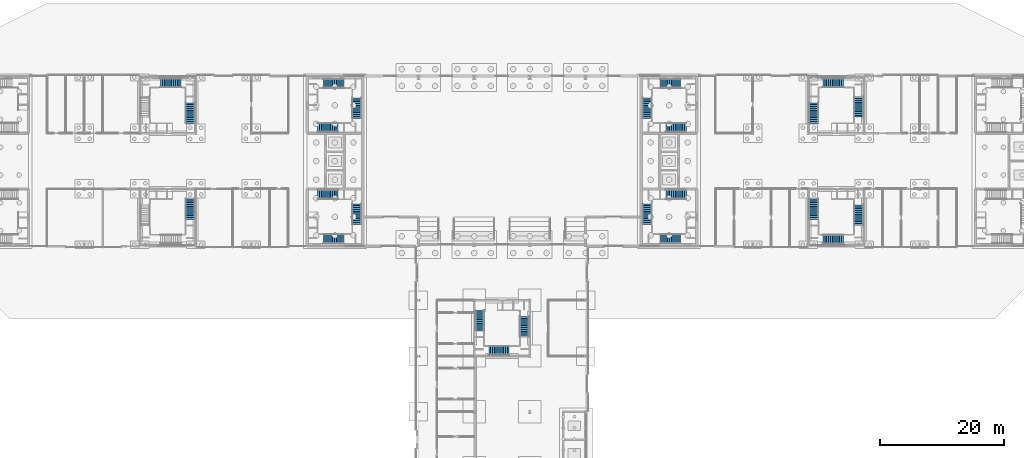
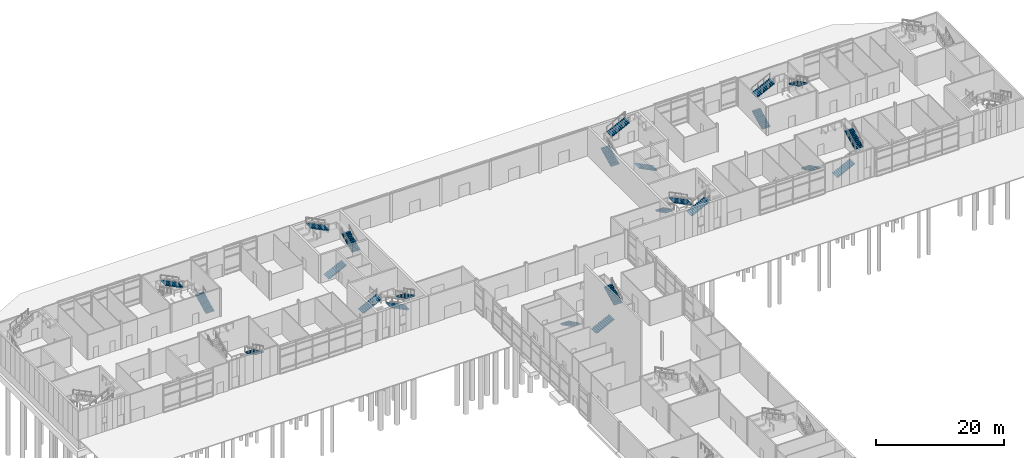
# One storey, part 35 of 45: 24 stair flights, 9 elements without a shape of their own.
"""IFC4 building model written with IfcOpenShell, lengths in metres."""

from ifc_helpers import new_model, si_unit, direction, frame, origin, place, context, subcontext, project, spatial, polyline, outline, extrude, material, type_object, element, aggregate, save


model = new_model("IFC4")

# Units and contexts
model_context = context("Model", 3, precision=1e-05, world=origin(), true_north=direction((0.0, 1.0)))
body_context = subcontext(model_context, "Body", "Model", "MODEL_VIEW")
ifc_project = project(units=[si_unit("LENGTHUNIT", "METRE"), si_unit("AREAUNIT", "SQUARE_METRE"), si_unit("VOLUMEUNIT", "CUBIC_METRE"), si_unit("PLANEANGLEUNIT", "RADIAN"), si_unit("MASSUNIT", "GRAM", prefix="KILO")], contexts=[model_context])

# Site, building, storey
site_placement = place(None, origin())
site = spatial("IfcSite", under=ifc_project, at=site_placement, CompositionType="ELEMENT")
building_placement = place(site_placement, origin())
building = spatial("IfcBuilding", under=site, at=building_placement, Name="Azimuth Sports and Learning Centre", CompositionType="ELEMENT")
storey_placement = place(building_placement, origin())
storey = spatial("IfcBuildingStorey", under=building, at=storey_placement, Name="L00", CompositionType="ELEMENT", Elevation=0.0)

# Stair, stair flights
ifc_material_1 = material(Name="Concrete C32/40", Category="concrete")
stair_type_1 = type_object("IfcStairType", Name="Square-well stair core 5400 storey", PredefinedType="THREE_QUARTER_TURN_STAIR", material=ifc_material_1)
stair_1_placement = place(storey_placement, origin())
stair_1 = element("IfcStair", 1, at=stair_1_placement, inside=storey, type_object=stair_type_1, Name="Stair W1 L00-L01", PredefinedType="THREE_QUARTER_TURN_STAIR")
ifc_material_2 = material(Name="Concrete C32/40", Category="concrete")
stair_flight_type = type_object("IfcStairFlightType", Name="Stair flight 12 risers", PredefinedType="STRAIGHT", material=ifc_material_2)
stair_flight_1_placement = place(storey_placement, frame((55.7099609375, 98.090087890625, 0.0), z_axis=(0.0, 0.0, 1.0), x_axis=(1.0, 0.0, 0.0)))
stair_flight_1 = element("IfcStairFlight", 2, at=stair_flight_1_placement, type_object=stair_flight_type, Name="Stair W1 L00 flight 1", NumberOfRisers=12, NumberOfTreads=11, PredefinedType="STRAIGHT", RiserHeight=0.15, TreadLength=0.3, context=body_context, shape_type="SweptSolid", body=[
    extrude(outline(polyline([(0.0, 0.0), (0.0, 0.14990234375), (0.300048828125, 0.14990234375), (0.300048828125, 0.300048828125), (0.60009765625, 0.300048828125), (0.60009765625, 0.449951171875), (0.89990234375, 0.449951171875), (0.89990234375, 0.60009765625), (1.199951171875, 0.60009765625), (1.199951171875, 0.75), (1.5, 0.75), (1.5, 0.89990234375), (1.800048828125, 0.89990234375), (1.800048828125, 1.050048828125), (2.10009765625, 1.050048828125), (2.10009765625, 1.199951171875), (2.39990234375, 1.199951171875), (2.39990234375, 1.35009765625), (2.699951171875, 1.35009765625), (2.699951171875, 1.5), (3.0, 1.5), (3.0, 1.64990234375), (3.300048828125, 1.64990234375), (3.300048828125, 1.800048828125), (3.300048828125, 1.482421875), (0.335205078125, 0.0), (0.0, 0.0)])), frame((0.0, 0.75, 0.0), z_axis=(0.0, -1.0, 0.0), x_axis=(1.0, 0.0, 0.0)), (0.0, 0.0, 1.0), 1.5),
])
stair_flight_2_placement = place(storey_placement, frame((62.0400390625, 96.590087890625, 1.800048828125), z_axis=(0.0, 0.0, 1.0), x_axis=(0.0, -1.0, 0.0)))
stair_flight_2 = element("IfcStairFlight", 3, at=stair_flight_2_placement, type_object=stair_flight_type, Name="Stair W1 L00 flight 2", NumberOfRisers=12, NumberOfTreads=11, PredefinedType="STRAIGHT", RiserHeight=0.15, TreadLength=0.3, context=body_context, shape_type="SweptSolid", body=[
    extrude(outline(polyline([(0.0, 0.0), (0.0, 0.14990234375), (0.300048828125, 0.14990234375), (0.300048828125, 0.300048828125), (0.60009765625, 0.300048828125), (0.60009765625, 0.449951171875), (0.89990234375, 0.449951171875), (0.89990234375, 0.60009765625), (1.199951171875, 0.60009765625), (1.199951171875, 0.75), (1.5, 0.75), (1.5, 0.89990234375), (1.800048828125, 0.89990234375), (1.800048828125, 1.050048828125), (2.10009765625, 1.050048828125), (2.10009765625, 1.199951171875), (2.39990234375, 1.199951171875), (2.39990234375, 1.35009765625), (2.699951171875, 1.35009765625), (2.699951171875, 1.5), (3.0, 1.5), (3.0, 1.64990234375), (3.300048828125, 1.64990234375), (3.300048828125, 1.800048828125), (3.300048828125, 1.482421875), (0.335205078125, 0.0), (0.0, 0.0)])), frame((0.0, 0.75, 0.0), z_axis=(0.0, -1.0, 0.0), x_axis=(1.0, 0.0, 0.0)), (0.0, 0.0, 1.0), 1.5),
])
stair_flight_3_placement = place(storey_placement, frame((59.93994140625, 90.9599609375, 3.60009765625), z_axis=(0.0, 0.0, 1.0), x_axis=(-1.0, 0.0, 0.0)))
stair_flight_3 = element("IfcStairFlight", 4, at=stair_flight_3_placement, type_object=stair_flight_type, Name="Stair W1 L00 flight 3", NumberOfRisers=12, NumberOfTreads=11, PredefinedType="STRAIGHT", RiserHeight=0.15, TreadLength=0.3, context=body_context, shape_type="SweptSolid", body=[
    extrude(outline(polyline([(0.0, 0.0), (0.0, 0.14990234375), (0.300048828125, 0.14990234375), (0.300048828125, 0.300048828125), (0.60009765625, 0.300048828125), (0.60009765625, 0.449951171875), (0.89990234375, 0.449951171875), (0.89990234375, 0.60009765625), (1.199951171875, 0.60009765625), (1.199951171875, 0.75), (1.5, 0.75), (1.5, 0.89990234375), (1.800048828125, 0.89990234375), (1.800048828125, 1.050048828125), (2.10009765625, 1.050048828125), (2.10009765625, 1.199951171875), (2.39990234375, 1.199951171875), (2.39990234375, 1.35009765625), (2.699951171875, 1.35009765625), (2.699951171875, 1.5), (3.0, 1.5), (3.0, 1.64990234375), (3.300048828125, 1.64990234375), (3.300048828125, 1.800048828125), (3.300048828125, 1.482421875), (0.335205078125, 0.0), (0.0, 0.0)])), frame((0.0, 0.75, 0.0), z_axis=(0.0, -1.0, 0.0), x_axis=(1.0, 0.0, 0.0)), (0.0, 0.0, 1.0), 1.5),
])
aggregate(stair_1, [stair_flight_1, stair_flight_2, stair_flight_3])

stair_2_placement = place(storey_placement, origin())
stair_2 = element("IfcStair", 5, at=stair_2_placement, inside=storey, type_object=stair_type_1, Name="Stair W2 L00-L01", PredefinedType="THREE_QUARTER_TURN_STAIR")
stair_flight_4_placement = place(storey_placement, frame((55.7099609375, 108.909912109375, 0.0), z_axis=(0.0, 0.0, 1.0), x_axis=(1.0, 0.0, 0.0)))
stair_flight_4 = element("IfcStairFlight", 6, at=stair_flight_4_placement, type_object=stair_flight_type, Name="Stair W2 L00 flight 1", NumberOfRisers=12, NumberOfTreads=11, PredefinedType="STRAIGHT", RiserHeight=0.15, TreadLength=0.3, context=body_context, shape_type="SweptSolid", body=[
    extrude(outline(polyline([(0.0, 0.0), (0.0, 0.14990234375), (0.300048828125, 0.14990234375), (0.300048828125, 0.300048828125), (0.60009765625, 0.300048828125), (0.60009765625, 0.449951171875), (0.89990234375, 0.449951171875), (0.89990234375, 0.60009765625), (1.199951171875, 0.60009765625), (1.199951171875, 0.75), (1.5, 0.75), (1.5, 0.89990234375), (1.800048828125, 0.89990234375), (1.800048828125, 1.050048828125), (2.10009765625, 1.050048828125), (2.10009765625, 1.199951171875), (2.39990234375, 1.199951171875), (2.39990234375, 1.35009765625), (2.699951171875, 1.35009765625), (2.699951171875, 1.5), (3.0, 1.5), (3.0, 1.64990234375), (3.300048828125, 1.64990234375), (3.300048828125, 1.800048828125), (3.300048828125, 1.482421875), (0.335205078125, 0.0), (0.0, 0.0)])), frame((0.0, 0.75, 0.0), z_axis=(0.0, -1.0, 0.0), x_axis=(1.0, 0.0, 0.0)), (0.0, 0.0, 1.0), 1.5),
])
stair_flight_5_placement = place(storey_placement, frame((62.0400390625, 110.409912109375, 1.800048828125), z_axis=(0.0, 0.0, 1.0), x_axis=(0.0, 1.0, 0.0)))
stair_flight_5 = element("IfcStairFlight", 7, at=stair_flight_5_placement, type_object=stair_flight_type, Name="Stair W2 L00 flight 2", NumberOfRisers=12, NumberOfTreads=11, PredefinedType="STRAIGHT", RiserHeight=0.15, TreadLength=0.3, context=body_context, shape_type="SweptSolid", body=[
    extrude(outline(polyline([(0.0, 0.0), (0.0, 0.14990234375), (0.300048828125, 0.14990234375), (0.300048828125, 0.300048828125), (0.60009765625, 0.300048828125), (0.60009765625, 0.449951171875), (0.89990234375, 0.449951171875), (0.89990234375, 0.60009765625), (1.199951171875, 0.60009765625), (1.199951171875, 0.75), (1.5, 0.75), (1.5, 0.89990234375), (1.800048828125, 0.89990234375), (1.800048828125, 1.050048828125), (2.10009765625, 1.050048828125), (2.10009765625, 1.199951171875), (2.39990234375, 1.199951171875), (2.39990234375, 1.35009765625), (2.699951171875, 1.35009765625), (2.699951171875, 1.5), (3.0, 1.5), (3.0, 1.64990234375), (3.300048828125, 1.64990234375), (3.300048828125, 1.800048828125), (3.300048828125, 1.482421875), (0.335205078125, 0.0), (0.0, 0.0)])), frame((0.0, 0.75, 0.0), z_axis=(0.0, -1.0, 0.0), x_axis=(1.0, 0.0, 0.0)), (0.0, 0.0, 1.0), 1.5),
])
stair_flight_6_placement = place(storey_placement, frame((59.93994140625, 116.0400390625, 3.60009765625), z_axis=(0.0, 0.0, 1.0), x_axis=(-1.0, 0.0, 0.0)))
stair_flight_6 = element("IfcStairFlight", 8, at=stair_flight_6_placement, type_object=stair_flight_type, Name="Stair W2 L00 flight 3", NumberOfRisers=12, NumberOfTreads=11, PredefinedType="STRAIGHT", RiserHeight=0.15, TreadLength=0.3, context=body_context, shape_type="SweptSolid", body=[
    extrude(outline(polyline([(0.0, 0.0), (0.0, 0.14990234375), (0.300048828125, 0.14990234375), (0.300048828125, 0.300048828125), (0.60009765625, 0.300048828125), (0.60009765625, 0.449951171875), (0.89990234375, 0.449951171875), (0.89990234375, 0.60009765625), (1.199951171875, 0.60009765625), (1.199951171875, 0.75), (1.5, 0.75), (1.5, 0.89990234375), (1.800048828125, 0.89990234375), (1.800048828125, 1.050048828125), (2.10009765625, 1.050048828125), (2.10009765625, 1.199951171875), (2.39990234375, 1.199951171875), (2.39990234375, 1.35009765625), (2.699951171875, 1.35009765625), (2.699951171875, 1.5), (3.0, 1.5), (3.0, 1.64990234375), (3.300048828125, 1.64990234375), (3.300048828125, 1.800048828125), (3.300048828125, 1.482421875), (0.335205078125, 0.0), (0.0, 0.0)])), frame((0.0, 0.75, 0.0), z_axis=(0.0, -1.0, 0.0), x_axis=(1.0, 0.0, 0.0)), (0.0, 0.0, 1.0), 1.5),
])
aggregate(stair_2, [stair_flight_4, stair_flight_5, stair_flight_6])

stair_3_placement = place(storey_placement, origin())
stair_3 = element("IfcStair", 9, at=stair_3_placement, inside=storey, type_object=stair_type_1, Name="Stair E1 L00-L01", PredefinedType="THREE_QUARTER_TURN_STAIR")
stair_flight_7_placement = place(storey_placement, frame((115.2900390625, 98.090087890625, 0.0), z_axis=(0.0, 0.0, 1.0), x_axis=(-1.0, 0.0, 0.0)))
stair_flight_7 = element("IfcStairFlight", 10, at=stair_flight_7_placement, type_object=stair_flight_type, Name="Stair E1 L00 flight 1", NumberOfRisers=12, NumberOfTreads=11, PredefinedType="STRAIGHT", RiserHeight=0.15, TreadLength=0.3, context=body_context, shape_type="SweptSolid", body=[
    extrude(outline(polyline([(0.0, 0.0), (0.0, 0.14990234375), (0.300048828125, 0.14990234375), (0.300048828125, 0.300048828125), (0.60009765625, 0.300048828125), (0.60009765625, 0.449951171875), (0.89990234375, 0.449951171875), (0.89990234375, 0.60009765625), (1.199951171875, 0.60009765625), (1.199951171875, 0.75), (1.5, 0.75), (1.5, 0.89990234375), (1.800048828125, 0.89990234375), (1.800048828125, 1.050048828125), (2.10009765625, 1.050048828125), (2.10009765625, 1.199951171875), (2.39990234375, 1.199951171875), (2.39990234375, 1.35009765625), (2.699951171875, 1.35009765625), (2.699951171875, 1.5), (3.0, 1.5), (3.0, 1.64990234375), (3.300048828125, 1.64990234375), (3.300048828125, 1.800048828125), (3.300048828125, 1.482421875), (0.335205078125, 0.0), (0.0, 0.0)])), frame((0.0, 0.75, 0.0), z_axis=(0.0, -1.0, 0.0), x_axis=(1.0, 0.0, 0.0)), (0.0, 0.0, 1.0), 1.5),
])
stair_flight_8_placement = place(storey_placement, frame((108.9599609375, 96.590087890625, 1.800048828125), z_axis=(0.0, 0.0, 1.0), x_axis=(0.0, -1.0, 0.0)))
stair_flight_8 = element("IfcStairFlight", 11, at=stair_flight_8_placement, type_object=stair_flight_type, Name="Stair E1 L00 flight 2", NumberOfRisers=12, NumberOfTreads=11, PredefinedType="STRAIGHT", RiserHeight=0.15, TreadLength=0.3, context=body_context, shape_type="SweptSolid", body=[
    extrude(outline(polyline([(0.0, 0.0), (0.0, 0.14990234375), (0.300048828125, 0.14990234375), (0.300048828125, 0.300048828125), (0.60009765625, 0.300048828125), (0.60009765625, 0.449951171875), (0.89990234375, 0.449951171875), (0.89990234375, 0.60009765625), (1.199951171875, 0.60009765625), (1.199951171875, 0.75), (1.5, 0.75), (1.5, 0.89990234375), (1.800048828125, 0.89990234375), (1.800048828125, 1.050048828125), (2.10009765625, 1.050048828125), (2.10009765625, 1.199951171875), (2.39990234375, 1.199951171875), (2.39990234375, 1.35009765625), (2.699951171875, 1.35009765625), (2.699951171875, 1.5), (3.0, 1.5), (3.0, 1.64990234375), (3.300048828125, 1.64990234375), (3.300048828125, 1.800048828125), (3.300048828125, 1.482421875), (0.335205078125, 0.0), (0.0, 0.0)])), frame((0.0, 0.75, 0.0), z_axis=(0.0, -1.0, 0.0), x_axis=(1.0, 0.0, 0.0)), (0.0, 0.0, 1.0), 1.5),
])
stair_flight_9_placement = place(storey_placement, frame((111.06005859375, 90.9599609375, 3.60009765625), z_axis=(0.0, 0.0, 1.0), x_axis=(1.0, 0.0, 0.0)))
stair_flight_9 = element("IfcStairFlight", 12, at=stair_flight_9_placement, type_object=stair_flight_type, Name="Stair E1 L00 flight 3", NumberOfRisers=12, NumberOfTreads=11, PredefinedType="STRAIGHT", RiserHeight=0.15, TreadLength=0.3, context=body_context, shape_type="SweptSolid", body=[
    extrude(outline(polyline([(0.0, 0.0), (0.0, 0.14990234375), (0.300048828125, 0.14990234375), (0.300048828125, 0.300048828125), (0.60009765625, 0.300048828125), (0.60009765625, 0.449951171875), (0.89990234375, 0.449951171875), (0.89990234375, 0.60009765625), (1.199951171875, 0.60009765625), (1.199951171875, 0.75), (1.5, 0.75), (1.5, 0.89990234375), (1.800048828125, 0.89990234375), (1.800048828125, 1.050048828125), (2.10009765625, 1.050048828125), (2.10009765625, 1.199951171875), (2.39990234375, 1.199951171875), (2.39990234375, 1.35009765625), (2.699951171875, 1.35009765625), (2.699951171875, 1.5), (3.0, 1.5), (3.0, 1.64990234375), (3.300048828125, 1.64990234375), (3.300048828125, 1.800048828125), (3.300048828125, 1.482421875), (0.335205078125, 0.0), (0.0, 0.0)])), frame((0.0, 0.75, 0.0), z_axis=(0.0, -1.0, 0.0), x_axis=(1.0, 0.0, 0.0)), (0.0, 0.0, 1.0), 1.5),
])
aggregate(stair_3, [stair_flight_7, stair_flight_8, stair_flight_9])

stair_4_placement = place(storey_placement, origin())
stair_4 = element("IfcStair", 13, at=stair_4_placement, inside=storey, type_object=stair_type_1, Name="Stair E2 L00-L01", PredefinedType="THREE_QUARTER_TURN_STAIR")
stair_flight_10_placement = place(storey_placement, frame((115.2900390625, 108.909912109375, 0.0), z_axis=(0.0, 0.0, 1.0), x_axis=(-1.0, 0.0, 0.0)))
stair_flight_10 = element("IfcStairFlight", 14, at=stair_flight_10_placement, type_object=stair_flight_type, Name="Stair E2 L00 flight 1", NumberOfRisers=12, NumberOfTreads=11, PredefinedType="STRAIGHT", RiserHeight=0.15, TreadLength=0.3, context=body_context, shape_type="SweptSolid", body=[
    extrude(outline(polyline([(0.0, 0.0), (0.0, 0.14990234375), (0.300048828125, 0.14990234375), (0.300048828125, 0.300048828125), (0.60009765625, 0.300048828125), (0.60009765625, 0.449951171875), (0.89990234375, 0.449951171875), (0.89990234375, 0.60009765625), (1.199951171875, 0.60009765625), (1.199951171875, 0.75), (1.5, 0.75), (1.5, 0.89990234375), (1.800048828125, 0.89990234375), (1.800048828125, 1.050048828125), (2.10009765625, 1.050048828125), (2.10009765625, 1.199951171875), (2.39990234375, 1.199951171875), (2.39990234375, 1.35009765625), (2.699951171875, 1.35009765625), (2.699951171875, 1.5), (3.0, 1.5), (3.0, 1.64990234375), (3.300048828125, 1.64990234375), (3.300048828125, 1.800048828125), (3.300048828125, 1.482421875), (0.335205078125, 0.0), (0.0, 0.0)])), frame((0.0, 0.75, 0.0), z_axis=(0.0, -1.0, 0.0), x_axis=(1.0, 0.0, 0.0)), (0.0, 0.0, 1.0), 1.5),
])
stair_flight_11_placement = place(storey_placement, frame((108.9599609375, 110.409912109375, 1.800048828125), z_axis=(0.0, 0.0, 1.0), x_axis=(0.0, 1.0, 0.0)))
stair_flight_11 = element("IfcStairFlight", 15, at=stair_flight_11_placement, type_object=stair_flight_type, Name="Stair E2 L00 flight 2", NumberOfRisers=12, NumberOfTreads=11, PredefinedType="STRAIGHT", RiserHeight=0.15, TreadLength=0.3, context=body_context, shape_type="SweptSolid", body=[
    extrude(outline(polyline([(0.0, 0.0), (0.0, 0.14990234375), (0.300048828125, 0.14990234375), (0.300048828125, 0.300048828125), (0.60009765625, 0.300048828125), (0.60009765625, 0.449951171875), (0.89990234375, 0.449951171875), (0.89990234375, 0.60009765625), (1.199951171875, 0.60009765625), (1.199951171875, 0.75), (1.5, 0.75), (1.5, 0.89990234375), (1.800048828125, 0.89990234375), (1.800048828125, 1.050048828125), (2.10009765625, 1.050048828125), (2.10009765625, 1.199951171875), (2.39990234375, 1.199951171875), (2.39990234375, 1.35009765625), (2.699951171875, 1.35009765625), (2.699951171875, 1.5), (3.0, 1.5), (3.0, 1.64990234375), (3.300048828125, 1.64990234375), (3.300048828125, 1.800048828125), (3.300048828125, 1.482421875), (0.335205078125, 0.0), (0.0, 0.0)])), frame((0.0, 0.75, 0.0), z_axis=(0.0, -1.0, 0.0), x_axis=(1.0, 0.0, 0.0)), (0.0, 0.0, 1.0), 1.5),
])
stair_flight_12_placement = place(storey_placement, frame((111.06005859375, 116.0400390625, 3.60009765625), z_axis=(0.0, 0.0, 1.0), x_axis=(1.0, 0.0, 0.0)))
stair_flight_12 = element("IfcStairFlight", 16, at=stair_flight_12_placement, type_object=stair_flight_type, Name="Stair E2 L00 flight 3", NumberOfRisers=12, NumberOfTreads=11, PredefinedType="STRAIGHT", RiserHeight=0.15, TreadLength=0.3, context=body_context, shape_type="SweptSolid", body=[
    extrude(outline(polyline([(0.0, 0.0), (0.0, 0.14990234375), (0.300048828125, 0.14990234375), (0.300048828125, 0.300048828125), (0.60009765625, 0.300048828125), (0.60009765625, 0.449951171875), (0.89990234375, 0.449951171875), (0.89990234375, 0.60009765625), (1.199951171875, 0.60009765625), (1.199951171875, 0.75), (1.5, 0.75), (1.5, 0.89990234375), (1.800048828125, 0.89990234375), (1.800048828125, 1.050048828125), (2.10009765625, 1.050048828125), (2.10009765625, 1.199951171875), (2.39990234375, 1.199951171875), (2.39990234375, 1.35009765625), (2.699951171875, 1.35009765625), (2.699951171875, 1.5), (3.0, 1.5), (3.0, 1.64990234375), (3.300048828125, 1.64990234375), (3.300048828125, 1.800048828125), (3.300048828125, 1.482421875), (0.335205078125, 0.0), (0.0, 0.0)])), frame((0.0, 0.75, 0.0), z_axis=(0.0, -1.0, 0.0), x_axis=(1.0, 0.0, 0.0)), (0.0, 0.0, 1.0), 1.5),
])
aggregate(stair_4, [stair_flight_10, stair_flight_11, stair_flight_12])

# Stair, stair flight
ifc_material_3 = material(Name="Concrete C32/40", Category="concrete")
stair_type_2 = type_object("IfcStairType", Name="Square-well stair mid-wing cell 5400 storey", PredefinedType="THREE_QUARTER_TURN_STAIR", material=ifc_material_3)
stair_5_placement = place(storey_placement, origin())
stair_5 = element("IfcStair", 17, at=stair_5_placement, inside=storey, type_object=stair_type_2, Name="Stair WM1 L00-L01", PredefinedType="THREE_QUARTER_TURN_STAIR")
stair_flight_13_placement = place(storey_placement, frame((35.139892578125, 97.389892578125, 0.0), z_axis=(0.0, 0.0, 1.0), x_axis=(0.0, -1.0, 0.0)))
stair_flight_13 = element("IfcStairFlight", 18, at=stair_flight_13_placement, type_object=stair_flight_type, Name="Stair WM1 L00 flight 1", NumberOfRisers=12, NumberOfTreads=11, PredefinedType="STRAIGHT", RiserHeight=0.15, TreadLength=0.3, context=body_context, shape_type="SweptSolid", body=[
    extrude(outline(polyline([(0.0, 0.0), (0.0, 0.14990234375), (0.300048828125, 0.14990234375), (0.300048828125, 0.300048828125), (0.60009765625, 0.300048828125), (0.60009765625, 0.449951171875), (0.89990234375, 0.449951171875), (0.89990234375, 0.60009765625), (1.199951171875, 0.60009765625), (1.199951171875, 0.75), (1.5, 0.75), (1.5, 0.89990234375), (1.800048828125, 0.89990234375), (1.800048828125, 1.050048828125), (2.10009765625, 1.050048828125), (2.10009765625, 1.199951171875), (2.39990234375, 1.199951171875), (2.39990234375, 1.35009765625), (2.699951171875, 1.35009765625), (2.699951171875, 1.5), (3.0, 1.5), (3.0, 1.64990234375), (3.300048828125, 1.64990234375), (3.300048828125, 1.800048828125), (3.300048828125, 1.482421875), (0.335205078125, 0.0), (0.0, 0.0)])), frame((0.0, 0.75, 0.0), z_axis=(0.0, -1.0, 0.0), x_axis=(1.0, 0.0, 0.0)), (0.0, 0.0, 1.0), 1.5),
])
aggregate(stair_5, [stair_flight_13])

# Stair, stair flights
stair_6_placement = place(storey_placement, origin())
stair_6 = element("IfcStair", 19, at=stair_6_placement, inside=storey, type_object=stair_type_2, Name="Stair WM2 L00-L01", PredefinedType="THREE_QUARTER_TURN_STAIR")
stair_flight_14_placement = place(storey_placement, frame((35.139892578125, 109.610107421875, 0.0), z_axis=(0.0, 0.0, 1.0), x_axis=(0.0, 1.0, 0.0)))
stair_flight_14 = element("IfcStairFlight", 20, at=stair_flight_14_placement, type_object=stair_flight_type, Name="Stair WM2 L00 flight 1", NumberOfRisers=12, NumberOfTreads=11, PredefinedType="STRAIGHT", RiserHeight=0.15, TreadLength=0.3, context=body_context, shape_type="SweptSolid", body=[
    extrude(outline(polyline([(0.0, 0.0), (0.0, 0.14990234375), (0.300048828125, 0.14990234375), (0.300048828125, 0.300048828125), (0.60009765625, 0.300048828125), (0.60009765625, 0.449951171875), (0.89990234375, 0.449951171875), (0.89990234375, 0.60009765625), (1.199951171875, 0.60009765625), (1.199951171875, 0.75), (1.5, 0.75), (1.5, 0.89990234375), (1.800048828125, 0.89990234375), (1.800048828125, 1.050048828125), (2.10009765625, 1.050048828125), (2.10009765625, 1.199951171875), (2.39990234375, 1.199951171875), (2.39990234375, 1.35009765625), (2.699951171875, 1.35009765625), (2.699951171875, 1.5), (3.0, 1.5), (3.0, 1.64990234375), (3.300048828125, 1.64990234375), (3.300048828125, 1.800048828125), (3.300048828125, 1.482421875), (0.335205078125, 0.0), (0.0, 0.0)])), frame((0.0, 0.75, 0.0), z_axis=(0.0, -1.0, 0.0), x_axis=(1.0, 0.0, 0.0)), (0.0, 0.0, 1.0), 1.5),
])
stair_flight_15_placement = place(storey_placement, frame((33.639892578125, 116.139892578125, 1.800048828125), z_axis=(0.0, 0.0, 1.0), x_axis=(-1.0, 0.0, 0.0)))
stair_flight_15 = element("IfcStairFlight", 21, at=stair_flight_15_placement, type_object=stair_flight_type, Name="Stair WM2 L00 flight 2", NumberOfRisers=12, NumberOfTreads=11, PredefinedType="STRAIGHT", RiserHeight=0.15, TreadLength=0.3, context=body_context, shape_type="SweptSolid", body=[
    extrude(outline(polyline([(0.0, 0.0), (0.0, 0.14990234375), (0.300048828125, 0.14990234375), (0.300048828125, 0.300048828125), (0.60009765625, 0.300048828125), (0.60009765625, 0.449951171875), (0.89990234375, 0.449951171875), (0.89990234375, 0.60009765625), (1.199951171875, 0.60009765625), (1.199951171875, 0.75), (1.5, 0.75), (1.5, 0.89990234375), (1.800048828125, 0.89990234375), (1.800048828125, 1.050048828125), (2.10009765625, 1.050048828125), (2.10009765625, 1.199951171875), (2.39990234375, 1.199951171875), (2.39990234375, 1.35009765625), (2.699951171875, 1.35009765625), (2.699951171875, 1.5), (3.0, 1.5), (3.0, 1.64990234375), (3.300048828125, 1.64990234375), (3.300048828125, 1.800048828125), (3.300048828125, 1.482421875), (0.335205078125, 0.0), (0.0, 0.0)])), frame((0.0, 0.75, 0.0), z_axis=(0.0, -1.0, 0.0), x_axis=(1.0, 0.0, 0.0)), (0.0, 0.0, 1.0), 1.5),
])
aggregate(stair_6, [stair_flight_14, stair_flight_15])

stair_7_placement = place(storey_placement, origin())
stair_7 = element("IfcStair", 22, at=stair_7_placement, inside=storey, type_object=stair_type_2, Name="Stair EM1 L00-L01", PredefinedType="THREE_QUARTER_TURN_STAIR")
stair_flight_16_placement = place(storey_placement, frame((135.860107421875, 97.389892578125, 0.0), z_axis=(0.0, 0.0, 1.0), x_axis=(0.0, -1.0, 0.0)))
stair_flight_16 = element("IfcStairFlight", 23, at=stair_flight_16_placement, type_object=stair_flight_type, Name="Stair EM1 L00 flight 1", NumberOfRisers=12, NumberOfTreads=11, PredefinedType="STRAIGHT", RiserHeight=0.15, TreadLength=0.3, context=body_context, shape_type="SweptSolid", body=[
    extrude(outline(polyline([(0.0, 0.0), (0.0, 0.14990234375), (0.300048828125, 0.14990234375), (0.300048828125, 0.300048828125), (0.60009765625, 0.300048828125), (0.60009765625, 0.449951171875), (0.89990234375, 0.449951171875), (0.89990234375, 0.60009765625), (1.199951171875, 0.60009765625), (1.199951171875, 0.75), (1.5, 0.75), (1.5, 0.89990234375), (1.800048828125, 0.89990234375), (1.800048828125, 1.050048828125), (2.10009765625, 1.050048828125), (2.10009765625, 1.199951171875), (2.39990234375, 1.199951171875), (2.39990234375, 1.35009765625), (2.699951171875, 1.35009765625), (2.699951171875, 1.5), (3.0, 1.5), (3.0, 1.64990234375), (3.300048828125, 1.64990234375), (3.300048828125, 1.800048828125), (3.300048828125, 1.482421875), (0.335205078125, 0.0), (0.0, 0.0)])), frame((0.0, 0.75, 0.0), z_axis=(0.0, -1.0, 0.0), x_axis=(1.0, 0.0, 0.0)), (0.0, 0.0, 1.0), 1.5),
])
stair_flight_17_placement = place(storey_placement, frame((137.360107421875, 90.860107421875, 1.800048828125), z_axis=(0.0, 0.0, 1.0), x_axis=(1.0, 0.0, 0.0)))
stair_flight_17 = element("IfcStairFlight", 24, at=stair_flight_17_placement, type_object=stair_flight_type, Name="Stair EM1 L00 flight 2", NumberOfRisers=12, NumberOfTreads=11, PredefinedType="STRAIGHT", RiserHeight=0.15, TreadLength=0.3, context=body_context, shape_type="SweptSolid", body=[
    extrude(outline(polyline([(0.0, 0.0), (0.0, 0.14990234375), (0.300048828125, 0.14990234375), (0.300048828125, 0.300048828125), (0.60009765625, 0.300048828125), (0.60009765625, 0.449951171875), (0.89990234375, 0.449951171875), (0.89990234375, 0.60009765625), (1.199951171875, 0.60009765625), (1.199951171875, 0.75), (1.5, 0.75), (1.5, 0.89990234375), (1.800048828125, 0.89990234375), (1.800048828125, 1.050048828125), (2.10009765625, 1.050048828125), (2.10009765625, 1.199951171875), (2.39990234375, 1.199951171875), (2.39990234375, 1.35009765625), (2.699951171875, 1.35009765625), (2.699951171875, 1.5), (3.0, 1.5), (3.0, 1.64990234375), (3.300048828125, 1.64990234375), (3.300048828125, 1.800048828125), (3.300048828125, 1.482421875), (0.335205078125, 0.0), (0.0, 0.0)])), frame((0.0, 0.75, 0.0), z_axis=(0.0, -1.0, 0.0), x_axis=(1.0, 0.0, 0.0)), (0.0, 0.0, 1.0), 1.5),
])
stair_flight_18_placement = place(storey_placement, frame((143.139892578125, 93.110107421875, 3.60009765625), z_axis=(0.0, 0.0, 1.0), x_axis=(0.0, 1.0, 0.0)))
stair_flight_18 = element("IfcStairFlight", 25, at=stair_flight_18_placement, type_object=stair_flight_type, Name="Stair EM1 L00 flight 3", NumberOfRisers=12, NumberOfTreads=11, PredefinedType="STRAIGHT", RiserHeight=0.15, TreadLength=0.3, context=body_context, shape_type="SweptSolid", body=[
    extrude(outline(polyline([(0.0, 0.0), (0.0, 0.14990234375), (0.300048828125, 0.14990234375), (0.300048828125, 0.300048828125), (0.60009765625, 0.300048828125), (0.60009765625, 0.449951171875), (0.89990234375, 0.449951171875), (0.89990234375, 0.60009765625), (1.199951171875, 0.60009765625), (1.199951171875, 0.75), (1.5, 0.75), (1.5, 0.89990234375), (1.800048828125, 0.89990234375), (1.800048828125, 1.050048828125), (2.10009765625, 1.050048828125), (2.10009765625, 1.199951171875), (2.39990234375, 1.199951171875), (2.39990234375, 1.35009765625), (2.699951171875, 1.35009765625), (2.699951171875, 1.5), (3.0, 1.5), (3.0, 1.64990234375), (3.300048828125, 1.64990234375), (3.300048828125, 1.800048828125), (3.300048828125, 1.482421875), (0.335205078125, 0.0), (0.0, 0.0)])), frame((0.0, 0.75, 0.0), z_axis=(0.0, -1.0, 0.0), x_axis=(1.0, 0.0, 0.0)), (0.0, 0.0, 1.0), 1.5),
])
aggregate(stair_7, [stair_flight_16, stair_flight_17, stair_flight_18])

stair_8_placement = place(storey_placement, origin())
stair_8 = element("IfcStair", 26, at=stair_8_placement, inside=storey, type_object=stair_type_2, Name="Stair EM2 L00-L01", PredefinedType="THREE_QUARTER_TURN_STAIR")
stair_flight_19_placement = place(storey_placement, frame((135.860107421875, 109.610107421875, 0.0), z_axis=(0.0, 0.0, 1.0), x_axis=(0.0, 1.0, 0.0)))
stair_flight_19 = element("IfcStairFlight", 27, at=stair_flight_19_placement, type_object=stair_flight_type, Name="Stair EM2 L00 flight 1", NumberOfRisers=12, NumberOfTreads=11, PredefinedType="STRAIGHT", RiserHeight=0.15, TreadLength=0.3, context=body_context, shape_type="SweptSolid", body=[
    extrude(outline(polyline([(0.0, 0.0), (0.0, 0.14990234375), (0.300048828125, 0.14990234375), (0.300048828125, 0.300048828125), (0.60009765625, 0.300048828125), (0.60009765625, 0.449951171875), (0.89990234375, 0.449951171875), (0.89990234375, 0.60009765625), (1.199951171875, 0.60009765625), (1.199951171875, 0.75), (1.5, 0.75), (1.5, 0.89990234375), (1.800048828125, 0.89990234375), (1.800048828125, 1.050048828125), (2.10009765625, 1.050048828125), (2.10009765625, 1.199951171875), (2.39990234375, 1.199951171875), (2.39990234375, 1.35009765625), (2.699951171875, 1.35009765625), (2.699951171875, 1.5), (3.0, 1.5), (3.0, 1.64990234375), (3.300048828125, 1.64990234375), (3.300048828125, 1.800048828125), (3.300048828125, 1.482421875), (0.335205078125, 0.0), (0.0, 0.0)])), frame((0.0, 0.75, 0.0), z_axis=(0.0, -1.0, 0.0), x_axis=(1.0, 0.0, 0.0)), (0.0, 0.0, 1.0), 1.5),
])
stair_flight_20_placement = place(storey_placement, frame((137.360107421875, 116.139892578125, 1.800048828125), z_axis=(0.0, 0.0, 1.0), x_axis=(1.0, 0.0, 0.0)))
stair_flight_20 = element("IfcStairFlight", 28, at=stair_flight_20_placement, type_object=stair_flight_type, Name="Stair EM2 L00 flight 2", NumberOfRisers=12, NumberOfTreads=11, PredefinedType="STRAIGHT", RiserHeight=0.15, TreadLength=0.3, context=body_context, shape_type="SweptSolid", body=[
    extrude(outline(polyline([(0.0, 0.0), (0.0, 0.14990234375), (0.300048828125, 0.14990234375), (0.300048828125, 0.300048828125), (0.60009765625, 0.300048828125), (0.60009765625, 0.449951171875), (0.89990234375, 0.449951171875), (0.89990234375, 0.60009765625), (1.199951171875, 0.60009765625), (1.199951171875, 0.75), (1.5, 0.75), (1.5, 0.89990234375), (1.800048828125, 0.89990234375), (1.800048828125, 1.050048828125), (2.10009765625, 1.050048828125), (2.10009765625, 1.199951171875), (2.39990234375, 1.199951171875), (2.39990234375, 1.35009765625), (2.699951171875, 1.35009765625), (2.699951171875, 1.5), (3.0, 1.5), (3.0, 1.64990234375), (3.300048828125, 1.64990234375), (3.300048828125, 1.800048828125), (3.300048828125, 1.482421875), (0.335205078125, 0.0), (0.0, 0.0)])), frame((0.0, 0.75, 0.0), z_axis=(0.0, -1.0, 0.0), x_axis=(1.0, 0.0, 0.0)), (0.0, 0.0, 1.0), 1.5),
])
stair_flight_21_placement = place(storey_placement, frame((143.139892578125, 113.889892578125, 3.60009765625), z_axis=(0.0, 0.0, 1.0), x_axis=(0.0, -1.0, 0.0)))
stair_flight_21 = element("IfcStairFlight", 29, at=stair_flight_21_placement, type_object=stair_flight_type, Name="Stair EM2 L00 flight 3", NumberOfRisers=12, NumberOfTreads=11, PredefinedType="STRAIGHT", RiserHeight=0.15, TreadLength=0.3, context=body_context, shape_type="SweptSolid", body=[
    extrude(outline(polyline([(0.0, 0.0), (0.0, 0.14990234375), (0.300048828125, 0.14990234375), (0.300048828125, 0.300048828125), (0.60009765625, 0.300048828125), (0.60009765625, 0.449951171875), (0.89990234375, 0.449951171875), (0.89990234375, 0.60009765625), (1.199951171875, 0.60009765625), (1.199951171875, 0.75), (1.5, 0.75), (1.5, 0.89990234375), (1.800048828125, 0.89990234375), (1.800048828125, 1.050048828125), (2.10009765625, 1.050048828125), (2.10009765625, 1.199951171875), (2.39990234375, 1.199951171875), (2.39990234375, 1.35009765625), (2.699951171875, 1.35009765625), (2.699951171875, 1.5), (3.0, 1.5), (3.0, 1.64990234375), (3.300048828125, 1.64990234375), (3.300048828125, 1.800048828125), (3.300048828125, 1.482421875), (0.335205078125, 0.0), (0.0, 0.0)])), frame((0.0, 0.75, 0.0), z_axis=(0.0, -1.0, 0.0), x_axis=(1.0, 0.0, 0.0)), (0.0, 0.0, 1.0), 1.5),
])
aggregate(stair_8, [stair_flight_19, stair_flight_20, stair_flight_21])

ifc_material_4 = material(Name="Concrete C32/40", Category="concrete")
stair_type_3 = type_object("IfcStairType", Name="Square-well stair stem cell 5400 storey", PredefinedType="THREE_QUARTER_TURN_STAIR", material=ifc_material_4)
stair_9_placement = place(storey_placement, origin())
stair_9 = element("IfcStair", 30, at=stair_9_placement, inside=storey, type_object=stair_type_3, Name="Stair STD L00-L01", PredefinedType="THREE_QUARTER_TURN_STAIR")
stair_flight_22_placement = place(storey_placement, frame((81.860107421875, 79.389892578125, 0.0), z_axis=(0.0, 0.0, 1.0), x_axis=(0.0, -1.0, 0.0)))
stair_flight_22 = element("IfcStairFlight", 31, at=stair_flight_22_placement, type_object=stair_flight_type, Name="Stair STD L00 flight 1", NumberOfRisers=12, NumberOfTreads=11, PredefinedType="STRAIGHT", RiserHeight=0.15, TreadLength=0.3, context=body_context, shape_type="SweptSolid", body=[
    extrude(outline(polyline([(0.0, 0.0), (0.0, 0.14990234375), (0.300048828125, 0.14990234375), (0.300048828125, 0.300048828125), (0.60009765625, 0.300048828125), (0.60009765625, 0.449951171875), (0.89990234375, 0.449951171875), (0.89990234375, 0.60009765625), (1.199951171875, 0.60009765625), (1.199951171875, 0.75), (1.5, 0.75), (1.5, 0.89990234375), (1.800048828125, 0.89990234375), (1.800048828125, 1.050048828125), (2.10009765625, 1.050048828125), (2.10009765625, 1.199951171875), (2.39990234375, 1.199951171875), (2.39990234375, 1.35009765625), (2.699951171875, 1.35009765625), (2.699951171875, 1.5), (3.0, 1.5), (3.0, 1.64990234375), (3.300048828125, 1.64990234375), (3.300048828125, 1.800048828125), (3.300048828125, 1.482421875), (0.335205078125, 0.0), (0.0, 0.0)])), frame((0.0, 0.75, 0.0), z_axis=(0.0, -1.0, 0.0), x_axis=(1.0, 0.0, 0.0)), (0.0, 0.0, 1.0), 1.5),
])
stair_flight_23_placement = place(storey_placement, frame((83.360107421875, 72.860107421875, 1.800048828125), z_axis=(0.0, 0.0, 1.0), x_axis=(1.0, 0.0, 0.0)))
stair_flight_23 = element("IfcStairFlight", 32, at=stair_flight_23_placement, type_object=stair_flight_type, Name="Stair STD L00 flight 2", NumberOfRisers=12, NumberOfTreads=11, PredefinedType="STRAIGHT", RiserHeight=0.15, TreadLength=0.3, context=body_context, shape_type="SweptSolid", body=[
    extrude(outline(polyline([(0.0, 0.0), (0.0, 0.14990234375), (0.300048828125, 0.14990234375), (0.300048828125, 0.300048828125), (0.60009765625, 0.300048828125), (0.60009765625, 0.449951171875), (0.89990234375, 0.449951171875), (0.89990234375, 0.60009765625), (1.199951171875, 0.60009765625), (1.199951171875, 0.75), (1.5, 0.75), (1.5, 0.89990234375), (1.800048828125, 0.89990234375), (1.800048828125, 1.050048828125), (2.10009765625, 1.050048828125), (2.10009765625, 1.199951171875), (2.39990234375, 1.199951171875), (2.39990234375, 1.35009765625), (2.699951171875, 1.35009765625), (2.699951171875, 1.5), (3.0, 1.5), (3.0, 1.64990234375), (3.300048828125, 1.64990234375), (3.300048828125, 1.800048828125), (3.300048828125, 1.482421875), (0.335205078125, 0.0), (0.0, 0.0)])), frame((0.0, 0.75, 0.0), z_axis=(0.0, -1.0, 0.0), x_axis=(1.0, 0.0, 0.0)), (0.0, 0.0, 1.0), 1.5),
])
stair_flight_24_placement = place(storey_placement, frame((89.139892578125, 75.110107421875, 3.60009765625), z_axis=(0.0, 0.0, 1.0), x_axis=(0.0, 1.0, 0.0)))
stair_flight_24 = element("IfcStairFlight", 33, at=stair_flight_24_placement, type_object=stair_flight_type, Name="Stair STD L00 flight 3", NumberOfRisers=12, NumberOfTreads=11, PredefinedType="STRAIGHT", RiserHeight=0.15, TreadLength=0.3, context=body_context, shape_type="SweptSolid", body=[
    extrude(outline(polyline([(0.0, 0.0), (0.0, 0.14990234375), (0.300048828125, 0.14990234375), (0.300048828125, 0.300048828125), (0.60009765625, 0.300048828125), (0.60009765625, 0.449951171875), (0.89990234375, 0.449951171875), (0.89990234375, 0.60009765625), (1.199951171875, 0.60009765625), (1.199951171875, 0.75), (1.5, 0.75), (1.5, 0.89990234375), (1.800048828125, 0.89990234375), (1.800048828125, 1.050048828125), (2.10009765625, 1.050048828125), (2.10009765625, 1.199951171875), (2.39990234375, 1.199951171875), (2.39990234375, 1.35009765625), (2.699951171875, 1.35009765625), (2.699951171875, 1.5), (3.0, 1.5), (3.0, 1.64990234375), (3.300048828125, 1.64990234375), (3.300048828125, 1.800048828125), (3.300048828125, 1.482421875), (0.335205078125, 0.0), (0.0, 0.0)])), frame((0.0, 0.75, 0.0), z_axis=(0.0, -1.0, 0.0), x_axis=(1.0, 0.0, 0.0)), (0.0, 0.0, 1.0), 1.5),
])
aggregate(stair_9, [stair_flight_22, stair_flight_23, stair_flight_24])

save(model, "model.ifc")
